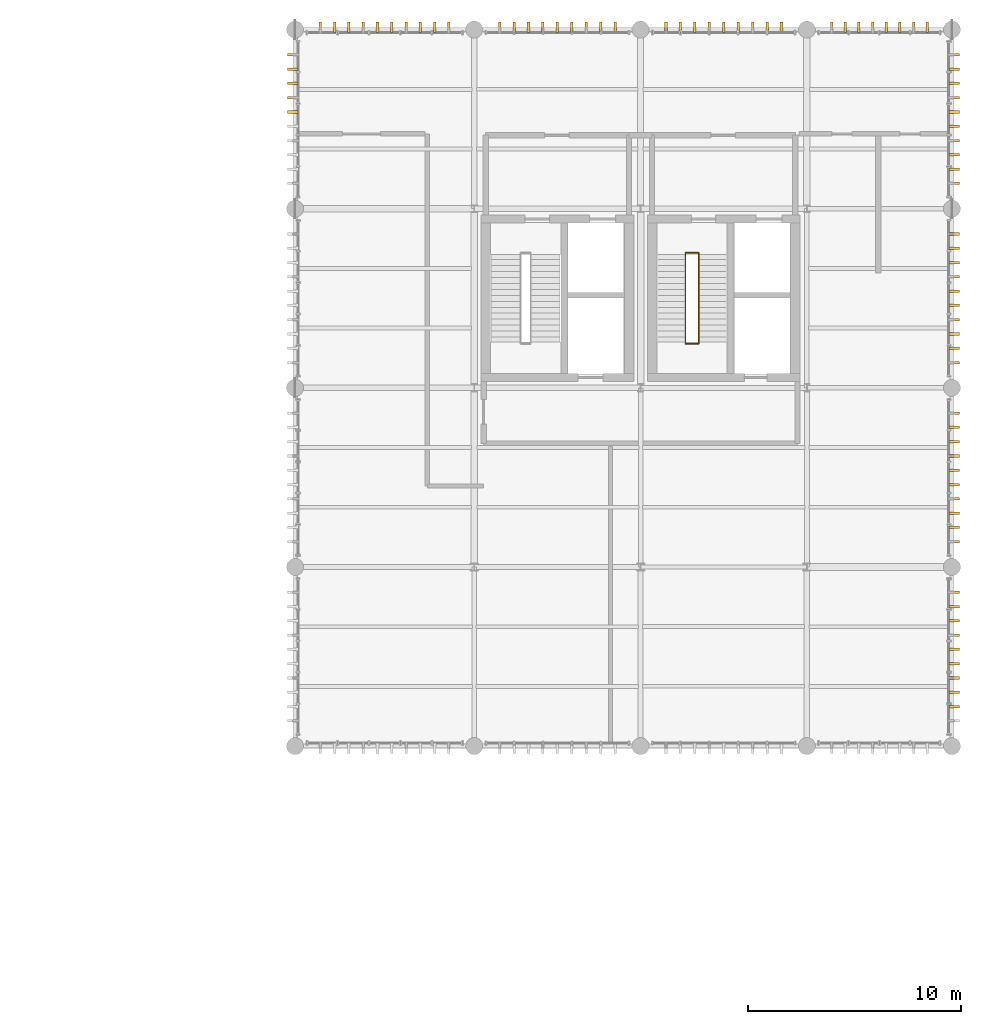
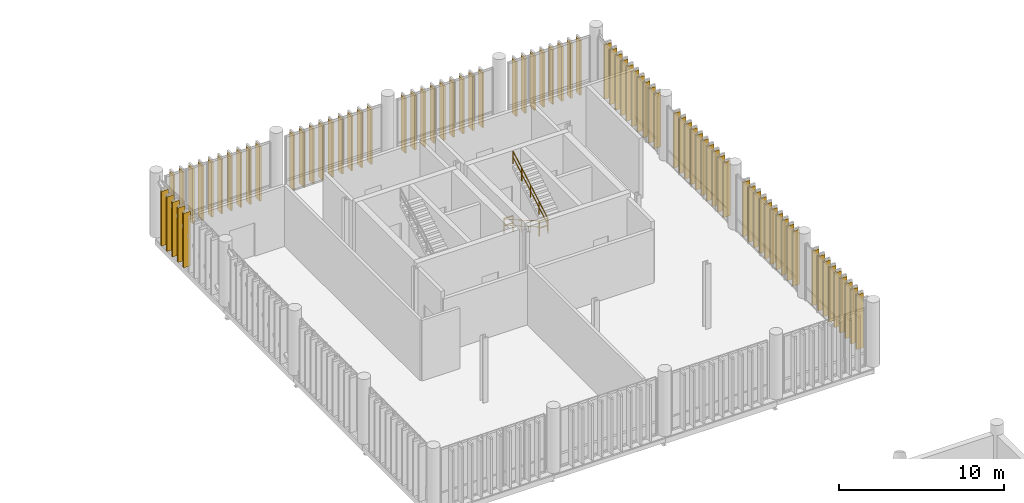
# One storey, part 91 of 94: 80 coverings, 4 railings.
"""IFC4 building model written with IfcOpenShell, lengths in metres."""

from ifc_helpers import new_model, si_unit, direction, frame, frame_2d, origin_with_axes, origin_2d_with_axis, place, context, subcontext, project, spatial, rectangle, circle, extrude, material, type_object, element, save


model = new_model("IFC4")

# Units and contexts
model_context = context("Model", 3, precision=1e-05, world=origin_with_axes(), true_north=direction((0.0, 1.0)))
body_context = subcontext(model_context, "Body", "Model", "MODEL_VIEW")
ifc_project = project(units=[si_unit("LENGTHUNIT", "METRE"), si_unit("AREAUNIT", "SQUARE_METRE"), si_unit("VOLUMEUNIT", "CUBIC_METRE"), si_unit("PLANEANGLEUNIT", "RADIAN"), si_unit("MASSUNIT", "GRAM", prefix="KILO"), si_unit("THERMODYNAMICTEMPERATUREUNIT", "KELVIN")], contexts=[model_context])

# Site, building, storey
site_placement = place(None, origin_with_axes())
site = spatial("IfcSite", under=ifc_project, at=site_placement, CompositionType="ELEMENT")
building_placement = place(site_placement, origin_with_axes())
building = spatial("IfcBuilding", under=site, at=building_placement, Name="Montbau Bow Law Courts", CompositionType="ELEMENT")
storey_placement = place(building_placement, frame((0.0, 0.0, 15.6), z_axis=(0.0, 0.0, 1.0), x_axis=(1.0, 0.0, 0.0)))
storey = spatial("IfcBuildingStorey", under=building, at=storey_placement, Name="L03", CompositionType="ELEMENT", Elevation=15.6)

# Coverings
ifc_material_1 = material(Name="Freeze-Thaw Glazed Slate-Grey Ceramic Vertical Louvre", Category="masonry")
covering_type = type_object("IfcCoveringType", Name="CV-LVR-SLT", PredefinedType="CLADDING", material=ifc_material_1)
for number, where, z_axis, x_axis, name in (
    (1, (139.785, 103.07, 15.6), (1.0, 0.0, 0.0), (0.0, 1.0, 0.0), "CLV-L03-2786:cov_2831"),
    (2, (140.455, 103.07, 15.6), (1.0, 0.0, 0.0), (0.0, 1.0, 0.0), "CLV-L03-2787:cov_2832"),
    (3, (141.125, 103.07, 15.6), (1.0, 0.0, 0.0), (0.0, 1.0, 0.0), "CLV-L03-2788:cov_2833"),
    (4, (141.795, 103.07, 15.6), (1.0, 0.0, 0.0), (0.0, 1.0, 0.0), "CLV-L03-2789:cov_2834"),
    (5, (142.465, 103.07, 15.6), (1.0, 0.0, 0.0), (0.0, 1.0, 0.0), "CLV-L03-2790:cov_2835"),
    (6, (143.135, 103.07, 15.6), (1.0, 0.0, 0.0), (0.0, 1.0, 0.0), "CLV-L03-2791:cov_2836"),
    (7, (143.805, 103.07, 15.6), (1.0, 0.0, 0.0), (0.0, 1.0, 0.0), "CLV-L03-2792:cov_2837"),
    (8, (144.475, 103.07, 15.6), (1.0, 0.0, 0.0), (0.0, 1.0, 0.0), "CLV-L03-2793:cov_2838"),
    (9, (145.145, 103.07, 15.6), (1.0, 0.0, 0.0), (0.0, 1.0, 0.0), "CLV-L03-2794:cov_2839"),
    (10, (145.815, 103.07, 15.6), (1.0, 0.0, 0.0), (0.0, 1.0, 0.0), "CLV-L03-2795:cov_2840"),
    (11, (148.192, 103.07, 15.6), (1.0, 0.0, 0.0), (0.0, 1.0, 0.0), "CLV-L03-2796:cov_2841"),
    (12, (148.869, 103.07, 15.6), (1.0, 0.0, 0.0), (0.0, 1.0, 0.0), "CLV-L03-2797:cov_2842"),
    (13, (149.546, 103.07, 15.6), (1.0, 0.0, 0.0), (0.0, 1.0, 0.0), "CLV-L03-2798:cov_2843"),
    (14, (150.223, 103.07, 15.6), (1.0, 0.0, 0.0), (0.0, 1.0, 0.0), "CLV-L03-2799:cov_2844"),
    (15, (150.9, 103.07, 15.6), (1.0, 0.0, 0.0), (0.0, 1.0, 0.0), "CLV-L03-2800:cov_2845"),
    (16, (151.577, 103.07, 15.6), (1.0, 0.0, 0.0), (0.0, 1.0, 0.0), "CLV-L03-2801:cov_2846"),
    (17, (152.254, 103.07, 15.6), (1.0, 0.0, 0.0), (0.0, 1.0, 0.0), "CLV-L03-2802:cov_2847"),
    (18, (152.931, 103.07, 15.6), (1.0, 0.0, 0.0), (0.0, 1.0, 0.0), "CLV-L03-2803:cov_2848"),
    (19, (153.608, 103.07, 15.6), (1.0, 0.0, 0.0), (0.0, 1.0, 0.0), "CLV-L03-2804:cov_2849"),
    (20, (155.992, 103.07, 15.6), (1.0, 0.0, 0.0), (0.0, 1.0, 0.0), "CLV-L03-2805:cov_2850"),
    (21, (156.669, 103.07, 15.6), (1.0, 0.0, 0.0), (0.0, 1.0, 0.0), "CLV-L03-2806:cov_2851"),
    (22, (157.346, 103.07, 15.6), (1.0, 0.0, 0.0), (0.0, 1.0, 0.0), "CLV-L03-2807:cov_2852"),
    (23, (158.023, 103.07, 15.6), (1.0, 0.0, 0.0), (0.0, 1.0, 0.0), "CLV-L03-2808:cov_2853"),
    (24, (158.7, 103.07, 15.6), (1.0, 0.0, 0.0), (0.0, 1.0, 0.0), "CLV-L03-2809:cov_2854"),
    (25, (159.377, 103.07, 15.6), (1.0, 0.0, 0.0), (0.0, 1.0, 0.0), "CLV-L03-2810:cov_2855"),
    (26, (160.054, 103.07, 15.6), (1.0, 0.0, 0.0), (0.0, 1.0, 0.0), "CLV-L03-2811:cov_2856"),
    (27, (160.731, 103.07, 15.6), (1.0, 0.0, 0.0), (0.0, 1.0, 0.0), "CLV-L03-2812:cov_2857"),
    (28, (161.408, 103.07, 15.6), (1.0, 0.0, 0.0), (0.0, 1.0, 0.0), "CLV-L03-2813:cov_2858"),
    (29, (163.756, 103.07, 15.6), (1.0, 0.0, 0.0), (0.0, 1.0, 0.0), "CLV-L03-2814:cov_2859"),
    (30, (164.397, 103.07, 15.6), (1.0, 0.0, 0.0), (0.0, 1.0, 0.0), "CLV-L03-2815:cov_2860"),
    (31, (165.038, 103.07, 15.6), (1.0, 0.0, 0.0), (0.0, 1.0, 0.0), "CLV-L03-2816:cov_2861"),
    (32, (165.679, 103.07, 15.6), (1.0, 0.0, 0.0), (0.0, 1.0, 0.0), "CLV-L03-2817:cov_2862"),
    (33, (166.321, 103.07, 15.6), (1.0, 0.0, 0.0), (0.0, 1.0, 0.0), "CLV-L03-2818:cov_2863"),
    (34, (166.962, 103.07, 15.6), (1.0, 0.0, 0.0), (0.0, 1.0, 0.0), "CLV-L03-2819:cov_2864"),
    (35, (167.603, 103.07, 15.6), (1.0, 0.0, 0.0), (0.0, 1.0, 0.0), "CLV-L03-2820:cov_2865"),
    (36, (168.244, 103.07, 15.6), (1.0, 0.0, 0.0), (0.0, 1.0, 0.0), "CLV-L03-2821:cov_2866"),
    (37, (138.73, 99.335, 15.6), (0.0, 1.0, 0.0), (-1.0, 0.0, 0.0), "CLV-L03-2857:cov_2902"),
    (38, (138.73, 100.005, 15.6), (0.0, 1.0, 0.0), (-1.0, 0.0, 0.0), "CLV-L03-2858:cov_2903"),
    (39, (138.73, 100.675, 15.6), (0.0, 1.0, 0.0), (-1.0, 0.0, 0.0), "CLV-L03-2859:cov_2904"),
    (40, (138.73, 101.345, 15.6), (0.0, 1.0, 0.0), (-1.0, 0.0, 0.0), "CLV-L03-2860:cov_2905"),
    (41, (138.73, 102.015, 15.6), (0.0, 1.0, 0.0), (-1.0, 0.0, 0.0), "CLV-L03-2861:cov_2906"),
    (42, (169.27, 71.455, 15.6), (0.0, -1.0, 0.0), (1.0, 0.0, 0.0), "CLV-L03-2863:cov_2908"),
    (43, (169.27, 72.125, 15.6), (0.0, -1.0, 0.0), (1.0, 0.0, 0.0), "CLV-L03-2864:cov_2909"),
    (44, (169.27, 72.795, 15.6), (0.0, -1.0, 0.0), (1.0, 0.0, 0.0), "CLV-L03-2865:cov_2910"),
    (45, (169.27, 73.465, 15.6), (0.0, -1.0, 0.0), (1.0, 0.0, 0.0), "CLV-L03-2866:cov_2911"),
    (46, (169.27, 74.135, 15.6), (0.0, -1.0, 0.0), (1.0, 0.0, 0.0), "CLV-L03-2867:cov_2912"),
    (47, (169.27, 74.805, 15.6), (0.0, -1.0, 0.0), (1.0, 0.0, 0.0), "CLV-L03-2868:cov_2913"),
    (48, (169.27, 75.475, 15.6), (0.0, -1.0, 0.0), (1.0, 0.0, 0.0), "CLV-L03-2869:cov_2914"),
    (49, (169.27, 76.145, 15.6), (0.0, -1.0, 0.0), (1.0, 0.0, 0.0), "CLV-L03-2870:cov_2915"),
    (50, (169.27, 76.815, 15.6), (0.0, -1.0, 0.0), (1.0, 0.0, 0.0), "CLV-L03-2871:cov_2916"),
    (51, (169.27, 79.185, 15.6), (0.0, -1.0, 0.0), (1.0, 0.0, 0.0), "CLV-L03-2872:cov_2917"),
    (52, (169.27, 79.855, 15.6), (0.0, -1.0, 0.0), (1.0, 0.0, 0.0), "CLV-L03-2873:cov_2918"),
    (53, (169.27, 80.525, 15.6), (0.0, -1.0, 0.0), (1.0, 0.0, 0.0), "CLV-L03-2874:cov_2919"),
    (54, (169.27, 81.195, 15.6), (0.0, -1.0, 0.0), (1.0, 0.0, 0.0), "CLV-L03-2875:cov_2920"),
    (55, (169.27, 81.865, 15.6), (0.0, -1.0, 0.0), (1.0, 0.0, 0.0), "CLV-L03-2876:cov_2921"),
    (56, (169.27, 82.535, 15.6), (0.0, -1.0, 0.0), (1.0, 0.0, 0.0), "CLV-L03-2877:cov_2922"),
    (57, (169.27, 83.205, 15.6), (0.0, -1.0, 0.0), (1.0, 0.0, 0.0), "CLV-L03-2878:cov_2923"),
    (58, (169.27, 83.875, 15.6), (0.0, -1.0, 0.0), (1.0, 0.0, 0.0), "CLV-L03-2879:cov_2924"),
    (59, (169.27, 84.545, 15.6), (0.0, -1.0, 0.0), (1.0, 0.0, 0.0), "CLV-L03-2880:cov_2925"),
    (60, (169.27, 85.215, 15.6), (0.0, -1.0, 0.0), (1.0, 0.0, 0.0), "CLV-L03-2881:cov_2926"),
    (61, (169.27, 87.585, 15.6), (0.0, -1.0, 0.0), (1.0, 0.0, 0.0), "CLV-L03-2882:cov_2927"),
    (62, (169.27, 88.255, 15.6), (0.0, -1.0, 0.0), (1.0, 0.0, 0.0), "CLV-L03-2883:cov_2928"),
    (63, (169.27, 88.925, 15.6), (0.0, -1.0, 0.0), (1.0, 0.0, 0.0), "CLV-L03-2884:cov_2929"),
    (64, (169.27, 89.595, 15.6), (0.0, -1.0, 0.0), (1.0, 0.0, 0.0), "CLV-L03-2885:cov_2930"),
    (65, (169.27, 90.265, 15.6), (0.0, -1.0, 0.0), (1.0, 0.0, 0.0), "CLV-L03-2886:cov_2931"),
    (66, (169.27, 90.935, 15.6), (0.0, -1.0, 0.0), (1.0, 0.0, 0.0), "CLV-L03-2887:cov_2932"),
    (67, (169.27, 91.605, 15.6), (0.0, -1.0, 0.0), (1.0, 0.0, 0.0), "CLV-L03-2888:cov_2933"),
    (68, (169.27, 92.275, 15.6), (0.0, -1.0, 0.0), (1.0, 0.0, 0.0), "CLV-L03-2889:cov_2934"),
    (69, (169.27, 92.945, 15.6), (0.0, -1.0, 0.0), (1.0, 0.0, 0.0), "CLV-L03-2890:cov_2935"),
    (70, (169.27, 93.615, 15.6), (0.0, -1.0, 0.0), (1.0, 0.0, 0.0), "CLV-L03-2891:cov_2936"),
    (71, (169.27, 95.985, 15.6), (0.0, -1.0, 0.0), (1.0, 0.0, 0.0), "CLV-L03-2892:cov_2937"),
    (72, (169.27, 96.655, 15.6), (0.0, -1.0, 0.0), (1.0, 0.0, 0.0), "CLV-L03-2893:cov_2938"),
    (73, (169.27, 97.325, 15.6), (0.0, -1.0, 0.0), (1.0, 0.0, 0.0), "CLV-L03-2894:cov_2939"),
    (74, (169.27, 97.995, 15.6), (0.0, -1.0, 0.0), (1.0, 0.0, 0.0), "CLV-L03-2895:cov_2940"),
    (75, (169.27, 98.665, 15.6), (0.0, -1.0, 0.0), (1.0, 0.0, 0.0), "CLV-L03-2896:cov_2941"),
    (76, (169.27, 99.335, 15.6), (0.0, -1.0, 0.0), (1.0, 0.0, 0.0), "CLV-L03-2897:cov_2942"),
    (77, (169.27, 100.005, 15.6), (0.0, -1.0, 0.0), (1.0, 0.0, 0.0), "CLV-L03-2898:cov_2943"),
    (78, (169.27, 100.675, 15.6), (0.0, -1.0, 0.0), (1.0, 0.0, 0.0), "CLV-L03-2899:cov_2944"),
    (79, (169.27, 101.345, 15.6), (0.0, -1.0, 0.0), (1.0, 0.0, 0.0), "CLV-L03-2900:cov_2945"),
    (80, (169.27, 102.015, 15.6), (0.0, -1.0, 0.0), (1.0, 0.0, 0.0), "CLV-L03-2901:cov_2946"),
):
    element("IfcCovering", number, at=place(None, frame(where, z_axis=z_axis, x_axis=x_axis)), inside=storey, type_object=covering_type, Name=name, PredefinedType="CLADDING", context=body_context, shape_type="SweptSolid", body=[
        extrude(rectangle(XDim=0.48, YDim=4.04, at=frame_2d((0.24, 2.02), x_axis=(1.0, 0.0))), frame((0.0, 0.0, -0.06), z_axis=(0.0, 0.0, 1.0), x_axis=(1.0, 0.0, 0.0)), (0.0, 0.0, 1.0), 0.12),
    ])

# Railings
ifc_material_2 = material(Name="Architectural Bronze-Finished Steel Stair Guard", Category="steel")
railing_type_1 = type_object("IfcRailingType", Name="RL-GRD-1100", PredefinedType="GUARDRAIL", material=ifc_material_2)
railing_1_placement = place(None, origin_with_axes())
element("IfcRailing", 81, at=railing_1_placement, inside=storey, type_object=railing_type_1, Name="SG-ST-J2-L03-ML:rlg_0219", PredefinedType="GUARDRAIL", context=body_context, shape_type="SweptSolid", body=[
    extrude(circle(Radius=0.0225, at=origin_2d_with_axis()), frame((156.905, 88.47, 19.102), z_axis=(1.0, 0.0, 0.0), x_axis=(0.0, 0.0, 1.0)), (0.0, 0.0, 1.0), 0.615),
    extrude(circle(Radius=0.02025, at=origin_2d_with_axis()), frame((156.905, 88.47, 18.572), z_axis=(1.0, 0.0, 0.0), x_axis=(0.0, 0.0, 1.0)), (0.0, 0.0, 1.0), 0.615),
    extrude(circle(Radius=0.02025, at=origin_2d_with_axis()), frame((156.905, 88.47, 18.0), z_axis=(0.0, 0.0, 1.0), x_axis=(1.0, 0.0, 0.0)), (0.0, 0.0, 1.0), 1.07525),
    extrude(circle(Radius=0.02025, at=origin_2d_with_axis()), frame((157.52, 88.47, 18.0), z_axis=(0.0, 0.0, 1.0), x_axis=(1.0, 0.0, 0.0)), (0.0, 0.0, 1.0), 1.07525),
])
railing_2_placement = place(None, origin_with_axes())
element("IfcRailing", 82, at=railing_2_placement, inside=storey, type_object=railing_type_1, Name="SG-ST-J2-L03-BL:rlg_0220", PredefinedType="GUARDRAIL", context=body_context, shape_type="SweptSolid", body=[
    extrude(circle(Radius=0.0225, at=origin_2d_with_axis()), frame((156.905, 92.73, 16.702), z_axis=(1.0, 0.0, 0.0), x_axis=(0.0, 0.0, 1.0)), (0.0, 0.0, 1.0), 0.615),
    extrude(circle(Radius=0.02025, at=origin_2d_with_axis()), frame((156.905, 92.73, 16.172), z_axis=(1.0, 0.0, 0.0), x_axis=(0.0, 0.0, 1.0)), (0.0, 0.0, 1.0), 0.615),
    extrude(circle(Radius=0.02025, at=origin_2d_with_axis()), frame((156.905, 92.73, 15.6), z_axis=(0.0, 0.0, 1.0), x_axis=(1.0, 0.0, 0.0)), (0.0, 0.0, 1.0), 1.07525),
    extrude(circle(Radius=0.02025, at=origin_2d_with_axis()), frame((157.52, 92.73, 15.6), z_axis=(0.0, 0.0, 1.0), x_axis=(1.0, 0.0, 0.0)), (0.0, 0.0, 1.0), 1.07525),
])
ifc_material_3 = material(Name="White-Oak and Stainless Continuous Stair Handrail", Category="steel")
railing_type_2 = type_object("IfcRailingType", Name="RL-HND-0920", PredefinedType="HANDRAIL", material=ifc_material_3)
railing_3_placement = place(None, origin_with_axes())
element("IfcRailing", 83, at=railing_3_placement, inside=storey, type_object=railing_type_2, Name="HR-ST-J2-L03-1:rlg_0221", PredefinedType="HANDRAIL", context=body_context, shape_type="SweptSolid", body=[
    extrude(circle(Radius=0.021, at=origin_2d_with_axis()), frame((156.905, 92.7, 16.682), z_axis=(0.0, -0.868243142, 0.496138938), x_axis=(0.0, 0.496138938, 0.868243142)), (0.0, 0.0, 1.0), 4.837355),
    extrude(circle(Radius=0.0189, at=origin_2d_with_axis()), frame((156.905, 92.7, 16.2384), z_axis=(0.0, -0.868243142, 0.496138938), x_axis=(0.0, 0.496138938, 0.868243142)), (0.0, 0.0, 1.0), 4.837355),
    extrude(circle(Radius=0.0189, at=origin_2d_with_axis()), frame((156.905, 92.7, 15.76), z_axis=(0.0, 0.0, 1.0), x_axis=(1.0, 0.0, 0.0)), (0.0, 0.0, 1.0), 0.8969),
    extrude(circle(Radius=0.0189, at=origin_2d_with_axis()), frame((156.905, 91.65, 16.36), z_axis=(0.0, 0.0, 1.0), x_axis=(1.0, 0.0, 0.0)), (0.0, 0.0, 1.0), 0.8969),
    extrude(circle(Radius=0.0189, at=origin_2d_with_axis()), frame((156.905, 90.6, 16.96), z_axis=(0.0, 0.0, 1.0), x_axis=(1.0, 0.0, 0.0)), (0.0, 0.0, 1.0), 0.8969),
    extrude(circle(Radius=0.0189, at=origin_2d_with_axis()), frame((156.905, 89.55, 17.56), z_axis=(0.0, 0.0, 1.0), x_axis=(1.0, 0.0, 0.0)), (0.0, 0.0, 1.0), 0.8969),
    extrude(circle(Radius=0.0189, at=origin_2d_with_axis()), frame((156.905, 88.5, 18.16), z_axis=(0.0, 0.0, 1.0), x_axis=(1.0, 0.0, 0.0)), (0.0, 0.0, 1.0), 0.8969),
])
railing_4_placement = place(None, origin_with_axes())
element("IfcRailing", 84, at=railing_4_placement, inside=storey, type_object=railing_type_2, Name="HR-ST-J2-L03-2:rlg_0222", PredefinedType="HANDRAIL", context=body_context, shape_type="SweptSolid", body=[
    extrude(circle(Radius=0.021, at=origin_2d_with_axis()), frame((157.52, 88.5, 19.082), z_axis=(0.0, 0.868243142, 0.496138938), x_axis=(0.0, -0.496138938, 0.868243142)), (0.0, 0.0, 1.0), 4.837355),
    extrude(circle(Radius=0.0189, at=origin_2d_with_axis()), frame((157.52, 88.5, 18.6384), z_axis=(0.0, 0.868243142, 0.496138938), x_axis=(0.0, -0.496138938, 0.868243142)), (0.0, 0.0, 1.0), 4.837355),
    extrude(circle(Radius=0.0189, at=origin_2d_with_axis()), frame((157.52, 88.5, 18.16), z_axis=(0.0, 0.0, 1.0), x_axis=(1.0, 0.0, 0.0)), (0.0, 0.0, 1.0), 0.8969),
    extrude(circle(Radius=0.0189, at=origin_2d_with_axis()), frame((157.52, 89.55, 18.76), z_axis=(0.0, 0.0, 1.0), x_axis=(1.0, 0.0, 0.0)), (0.0, 0.0, 1.0), 0.8969),
    extrude(circle(Radius=0.0189, at=origin_2d_with_axis()), frame((157.52, 90.6, 19.36), z_axis=(0.0, 0.0, 1.0), x_axis=(1.0, 0.0, 0.0)), (0.0, 0.0, 1.0), 0.8969),
    extrude(circle(Radius=0.0189, at=origin_2d_with_axis()), frame((157.52, 91.65, 19.96), z_axis=(0.0, 0.0, 1.0), x_axis=(1.0, 0.0, 0.0)), (0.0, 0.0, 1.0), 0.8969),
    extrude(circle(Radius=0.0189, at=origin_2d_with_axis()), frame((157.52, 92.7, 20.56), z_axis=(0.0, 0.0, 1.0), x_axis=(1.0, 0.0, 0.0)), (0.0, 0.0, 1.0), 0.8969),
])

save(model, "model.ifc")
